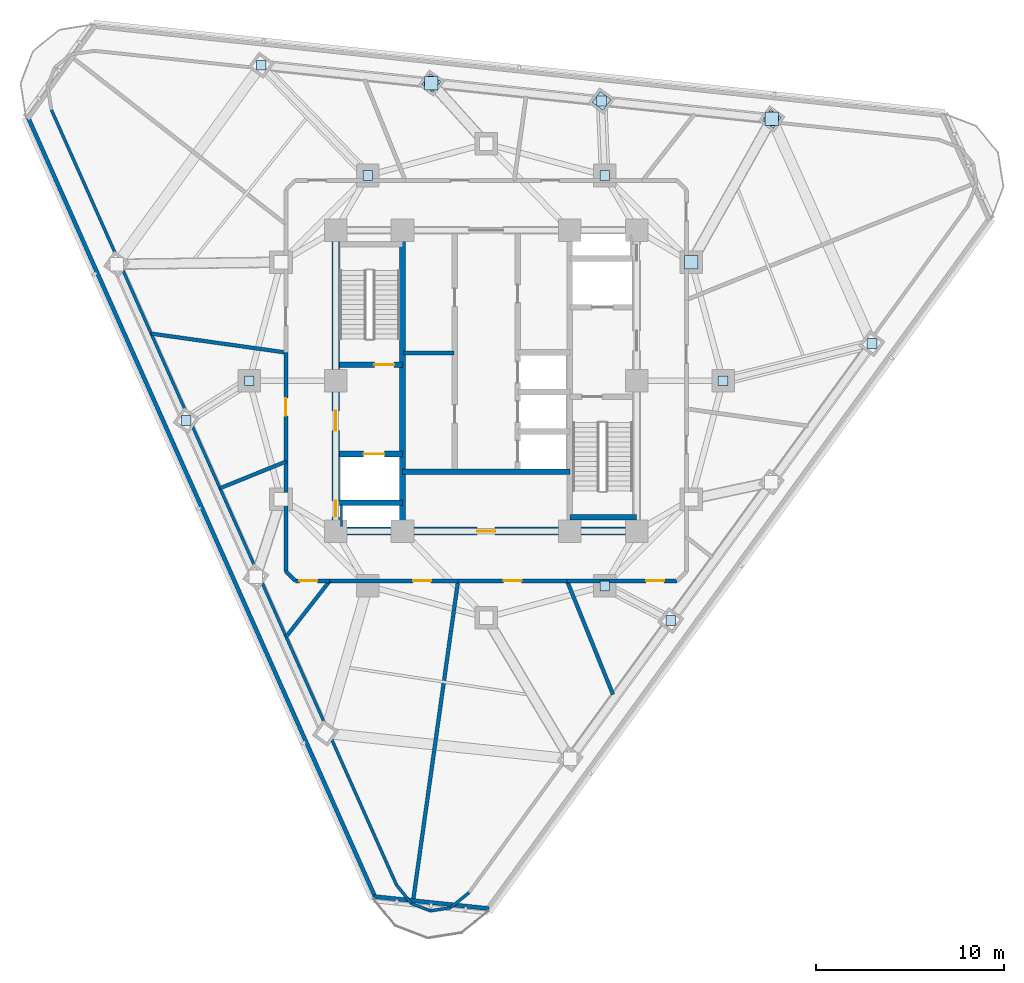
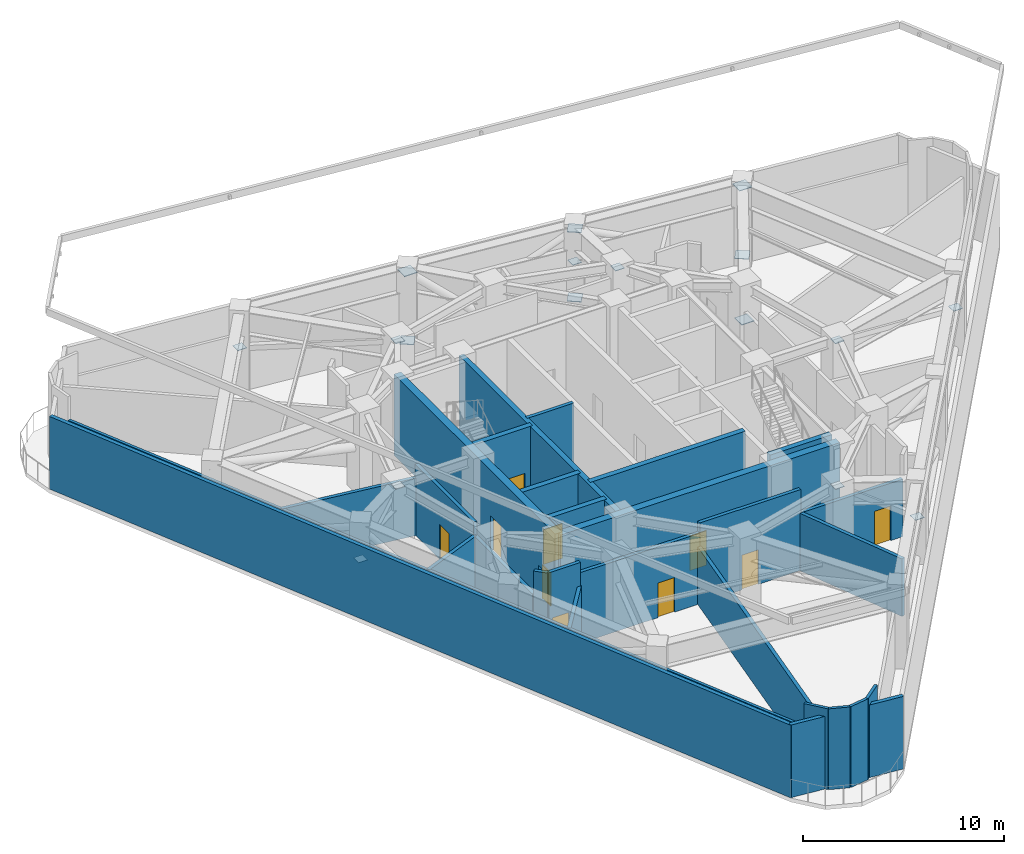
# One storey, part 3 of 10: 29 walls, 17 plates, 10 doors, 10 openings.
"""IFC4 building model written with IfcOpenShell, lengths in metres."""

from ifc_helpers import new_model, si_unit, direction, frame, frame_2d, origin, origin_2d, place, context, subcontext, project, spatial, rectangle, extrude, material, layer, layer_set, type_object, element, fill, save


model = new_model("IFC4")

# Units and contexts
model_context = context("Model", 3, precision=1e-05, world=origin(), true_north=direction((0.0, 1.0)))
body_context = subcontext(model_context, "Body", "Model", "MODEL_VIEW")
ifc_project = project(units=[si_unit("LENGTHUNIT", "METRE"), si_unit("AREAUNIT", "SQUARE_METRE"), si_unit("VOLUMEUNIT", "CUBIC_METRE"), si_unit("PLANEANGLEUNIT", "RADIAN"), si_unit("MASSUNIT", "GRAM", prefix="KILO")], contexts=[model_context])

# Site, building, storey
site_placement = place(None, origin())
site = spatial("IfcSite", under=ifc_project, at=site_placement, CompositionType="ELEMENT")
building_placement = place(site_placement, origin())
building = spatial("IfcBuilding", under=site, at=building_placement, Name="Terralouvre Media Tower", CompositionType="ELEMENT")
storey_placement = place(building_placement, frame((0.0, 0.0, 213.800048828125)))
storey = spatial("IfcBuildingStorey", under=building, at=storey_placement, Name="L55", CompositionType="ELEMENT", Elevation=213.800048828125)

# Plates
ifc_material_1 = material(Name="Structural steel S355J2", Category="steel")
ifc_layer_1 = layer(ifc_material_1, 0.028076171875, Name="Crown Rib End-Cap Node Plate ND-CR1")
ifc_layer_set_1 = layer_set([ifc_layer_1], Name="Structural steel S355J2")
plate_type_1 = type_object("IfcPlateType", Name="Crown Rib End-Cap Node Plate ND-CR1", PredefinedType="SHEET", material=ifc_layer_set_1)
for number, where, z_axis, x_axis, name in (
    (1, (6.300048828125, -10.911865234375, 4.5361328125), (0.0, 0.0, 1.0), (1.0, 0.0, 0.0), "L55 Strut Base Plate 11"),
    (2, (9.8125, -12.75341796875, 2.5361328125), (0.0, 0.0, 1.0), (1.0, 0.0, 0.0), "L55 Strut Top Plate 11"),
    (3, (12.60009765625, 0.0, 4.5361328125), (0.0, 0.0, 1.0), (1.0, 0.0, 0.0), "L55 Strut Base Plate 12"),
    (4, (20.51025390625, 1.970703125, 2.5361328125), (0.0, 0.0, 1.0), (1.0, 0.0, 0.0), "L55 Strut Top Plate 12"),
    (5, (6.300048828125, 10.911865234375, 4.5361328125), (0.0, 0.0, 1.0), (1.0, 0.0, 0.0), "L55 Strut Base Plate 13"),
    (6, (6.138427734375, 14.87451171875, 2.5361328125), (0.0, 0.0, 1.0), (1.0, 0.0, 0.0), "L55 Strut Top Plate 13"),
    (7, (-6.300048828125, 10.911865234375, 4.5361328125), (0.0, 0.0, 1.0), (1.0, 0.0, 0.0), "L55 Strut Base Plate 14"),
    (8, (-11.9619140625, 16.77685546875, 2.5361328125), (0.0, 0.0, 1.0), (1.0, 0.0, 0.0), "L55 Strut Top Plate 14"),
    (9, (-12.60009765625, 0.0, 4.5361328125), (0.0, 0.0, 1.0), (1.0, 0.0, 0.0), "L55 Strut Base Plate 15"),
    (10, (-15.950927734375, -2.121337890625, 2.5361328125), (0.0, 0.0, 1.0), (1.0, 0.0, 0.0), "L55 Strut Top Plate 15"),
):
    element("IfcPlate", number, at=place(storey_placement, frame(where, z_axis=z_axis, x_axis=x_axis)), inside=storey, type_object=plate_type_1, Name=name, PredefinedType="SHEET", context=body_context, shape_type="SweptSolid", body=[
        extrude(rectangle(XDim=0.52001953125, YDim=0.52001953125, at=origin_2d()), origin(), (0.0, 0.0, 1.0), 0.028076171875),
    ])
ifc_material_2 = material(Name="Structural steel S460M", Category="steel")
ifc_layer_2 = layer(ifc_material_2, 0.035888671875, Name="Welded Belt-Truss Gusset Node Plate ND-BT1")
ifc_layer_set_2 = layer_set([ifc_layer_2], Name="Structural steel S460M")
plate_type_2 = type_object("IfcPlateType", Name="Welded Belt-Truss Gusset Node Plate ND-BT1", PredefinedType="SHEET", material=ifc_layer_set_2)
for number, where, z_axis, x_axis, name in (
    (11, (15.1884765625, 13.92333984375, 0.33203125), (0.0, 0.0, 1.0), (0.587785252292, 0.809016994375, 0.0), "L55 Belt-Truss Welded Node Plate ND-13"),
    (12, (6.138427734375, 14.87451171875, 0.33203125), (0.0, 0.0, 1.0), (0.587785252292, 0.809016994375, 0.0), "L55 Belt-Truss Welded Node Plate ND-14"),
    (13, (6.138427734375, 14.87451171875, 4.5322265625), (0.0, 0.0, 1.0), (0.587785252292, 0.809016994375, 0.0), "L55 Belt-Truss Welded Node Plate ND-16"),
    (14, (-2.91162109375, 15.82568359375, 0.33203125), (0.0, 0.0, 1.0), (0.587785252292, 0.809016994375, 0.0), "L55 Belt-Truss Welded Node Plate ND-18"),
    (15, (10.911865234375, 6.300048828125, 2.5322265625), (0.0, 0.0, 1.0), (1.0, 0.0, 0.0), "L55 Outrigger Welded Node Plate ND-41"),
    (16, (15.1884765625, 13.92333984375, 4.5322265625), (0.0, 0.0, 1.0), (1.0, 0.0, 0.0), "L55 Outrigger Welded Node Plate ND-42"),
    (17, (-2.91162109375, 15.82568359375, 4.5322265625), (0.0, 0.0, 1.0), (1.0, 0.0, 0.0), "L55 Outrigger Welded Node Plate ND-44"),
):
    element("IfcPlate", number, at=place(storey_placement, frame(where, z_axis=z_axis, x_axis=x_axis)), inside=storey, type_object=plate_type_2, Name=name, PredefinedType="SHEET", context=body_context, shape_type="SweptSolid", body=[
        extrude(rectangle(XDim=0.719970703125, YDim=0.719970703125, at=origin_2d()), origin(), (0.0, 0.0, 1.0), 0.035888671875),
    ])

# Wall
ifc_material_3 = material(Name="Concrete C50/60", Category="concrete")
ifc_layer_3 = layer(ifc_material_3, 0.300048828125, Name="Core Internal Shaft Wall CW-300")
ifc_layer_set_3 = layer_set([ifc_layer_3], Name="Concrete C50/60")
wall_type_1 = type_object("IfcWallType", Name="Core Internal Shaft Wall CW-300", PredefinedType="SHEAR", material=ifc_layer_set_3)
wall_1_placement = place(storey_placement, frame((-4.449951171875, -7.7900390625, 0.0), z_axis=(0.0, 0.0, 1.0), x_axis=(0.0, 1.0, 0.0)))
element("IfcWall", 18, at=wall_1_placement, inside=storey, type_object=wall_type_1, Name="L55 Core Shaft Wall SPW", PredefinedType="SHEAR", context=body_context, shape_type="SweptSolid", body=[
    extrude(rectangle(XDim=15.580078125, YDim=0.300048828125, at=frame_2d((7.7900390625, 0.0))), origin(), (0.0, 0.0, 1.0), 4.89990234375),
])

# Wall, opening, door
wall_2_placement = place(storey_placement, frame((-7.7900390625, 0.85009765625, 0.0), z_axis=(0.0, 0.0, 1.0), x_axis=(1.0, 0.0, 0.0)))
wall_2 = element("IfcWall", 19, at=wall_2_placement, inside=storey, type_object=wall_type_1, Name="L55 Core Shaft Wall ST1D", PredefinedType="SHEAR", context=body_context, shape_type="SweptSolid", body=[
    extrude(rectangle(XDim=3.340087890625, YDim=0.300048828125, at=frame_2d((1.669921875, 0.0))), origin(), (0.0, 0.0, 1.0), 4.89990234375),
])
opening_1_placement = place(wall_2_placement, frame((1.85009765625, 0.0, 0.0)))
opening_1 = element("IfcOpeningElement", 20, at=opening_1_placement, cuts=wall_2, Name="Opening FD-01-105X215", PredefinedType="OPENING", context=body_context, shape_type="SweptSolid", body=[
    extrude(rectangle(XDim=1.050048828125, YDim=2.14990234375, at=frame_2d((0.52490234375, 1.074951171875))), frame((0.0, 0.159912109375, 0.0), z_axis=(0.0, -1.0, 0.0), x_axis=(1.0, 0.0, 0.0)), (0.0, 0.0, 1.0), 0.320068359375),
])
ifc_material_4 = material(Name="Galvanised steel fire-resisting leaf", Category="steel")
door_type_1 = type_object("IfcDoorType", Name="Stair and Firefighting Lobby Fire Door FD-01 (1050x2150)", OperationType="NOTDEFINED", PredefinedType="DOOR", material=ifc_material_4)
door_1_placement = place(opening_1_placement, origin())
door_1 = element("IfcDoor", 21, at=door_1_placement, inside=storey, type_object=door_type_1, Name="L55 ST-01 Exit Stair Door", OperationType="SINGLE_SWING_LEFT", OverallHeight=2.14990234375, OverallWidth=1.050048828125, PredefinedType="DOOR", context=body_context, shape_type="SweptSolid", body=[
    extrude(rectangle(XDim=1.050048828125, YDim=2.14990234375, at=frame_2d((0.52490234375, 1.074951171875))), frame((0.0, 0.02490234375, 0.0), z_axis=(0.0, -1.0, 0.0), x_axis=(1.0, 0.0, 0.0)), (0.0, 0.0, 1.0), 0.050048828125),
])
fill(opening_1, door_1)

# Wall
wall_3_placement = place(storey_placement, frame((4.449951171875, -7.260009765625, 0.0), z_axis=(0.0, 0.0, 1.0), x_axis=(1.0, 0.0, 0.0)))
element("IfcWall", 22, at=wall_3_placement, inside=storey, type_object=wall_type_1, Name="L55 Core Shaft Wall ST2F", PredefinedType="SHEAR", context=body_context, shape_type="SweptSolid", body=[
    extrude(rectangle(XDim=3.550048828125, YDim=0.300048828125, at=frame_2d((1.77490234375, 0.0))), origin(), (0.0, 0.0, 1.0), 4.89990234375),
])

# Wall, opening, door
wall_4_placement = place(storey_placement, frame((-7.7900390625, -3.89990234375, 0.0), z_axis=(0.0, 0.0, 1.0), x_axis=(1.0, 0.0, 0.0)))
wall_4 = element("IfcWall", 23, at=wall_4_placement, inside=storey, type_object=wall_type_1, Name="L55 Core Shaft Wall FF1N", PredefinedType="SHEAR", context=body_context, shape_type="SweptSolid", body=[
    extrude(rectangle(XDim=3.340087890625, YDim=0.300048828125, at=frame_2d((1.669921875, 0.0))), origin(), (0.0, 0.0, 1.0), 4.89990234375),
])
opening_2_placement = place(wall_4_placement, frame((1.27001953125, 0.0, 0.0)))
opening_2 = element("IfcOpeningElement", 24, at=opening_2_placement, cuts=wall_4, Name="Opening LD-FF", PredefinedType="OPENING", context=body_context, shape_type="SweptSolid", body=[
    extrude(rectangle(XDim=1.10009765625, YDim=2.10009765625, at=frame_2d((0.550048828125, 1.050048828125))), frame((0.0, 0.159912109375, 0.0), z_axis=(0.0, -1.0, 0.0), x_axis=(1.0, 0.0, 0.0)), (0.0, 0.0, 1.0), 0.320068359375),
])
ifc_material_5 = material(Name="Stainless steel 316 handrail and balustrade", Category="steel")
door_type_2 = type_object("IfcDoorType", Name="Firefighting Lift Sliding Landing Door LD-FF", OperationType="SLIDING_TO_LEFT", PredefinedType="DOOR", material=ifc_material_5)
door_2_placement = place(opening_2_placement, origin())
door_2 = element("IfcDoor", 25, at=door_2_placement, inside=storey, type_object=door_type_2, Name="L55 Firefighting Lift FFL-01 Landing Door", OperationType="SLIDING_TO_LEFT", OverallHeight=2.10009765625, OverallWidth=1.10009765625, PredefinedType="DOOR", context=body_context, shape_type="SweptSolid", body=[
    extrude(rectangle(XDim=1.10009765625, YDim=2.10009765625, at=frame_2d((0.550048828125, 1.050048828125))), frame((0.0, 0.02490234375, 0.0), z_axis=(0.0, -1.0, 0.0), x_axis=(1.0, 0.0, 0.0)), (0.0, 0.0, 1.0), 0.050048828125),
])
fill(opening_2, door_2)

# Walls
wall_5_placement = place(storey_placement, frame((-7.7900390625, -6.5, 0.0), z_axis=(0.0, 0.0, 1.0), x_axis=(1.0, 0.0, 0.0)))
element("IfcWall", 26, at=wall_5_placement, inside=storey, type_object=wall_type_1, Name="L55 Core Shaft Wall FF1S", PredefinedType="SHEAR", context=body_context, shape_type="SweptSolid", body=[
    extrude(rectangle(XDim=3.340087890625, YDim=0.300048828125, at=frame_2d((1.669921875, 0.0))), origin(), (0.0, 0.0, 1.0), 4.89990234375),
])
wall_6_placement = place(storey_placement, frame((-4.449951171875, -4.85009765625, 0.0), z_axis=(0.0, 0.0, 1.0), x_axis=(1.0, 0.0, 0.0)))
element("IfcWall", 27, at=wall_6_placement, inside=storey, type_object=wall_type_1, Name="L55 Core Shaft Wall CSBN", PredefinedType="SHEAR", context=body_context, shape_type="SweptSolid", body=[
    extrude(rectangle(XDim=8.89990234375, YDim=0.300048828125, at=frame_2d((4.449951171875, 0.0))), origin(), (0.0, 0.0, 1.0), 4.89990234375),
])

# Wall, openings, doors
ifc_material_6 = material(Name="Concrete C60/75", Category="concrete")
ifc_layer_4 = layer(ifc_material_6, 0.419921875, Name="Core Reinforced Concrete Shear Wall CW-420")
ifc_layer_set_4 = layer_set([ifc_layer_4], Name="Concrete C60/75")
wall_type_2 = type_object("IfcWallType", Name="Core Reinforced Concrete Shear Wall CW-420", PredefinedType="SHEAR", material=ifc_layer_set_4)
wall_7_placement = place(storey_placement, frame((-8.0, -8.0, 0.0), z_axis=(0.0, 0.0, 1.0), x_axis=(0.0, 1.0, 0.0)))
wall_7 = element("IfcWall", 28, at=wall_7_placement, inside=storey, type_object=wall_type_2, Name="L55 W Core Shear Wall", PredefinedType="SHEAR", context=body_context, shape_type="SweptSolid", body=[
    extrude(rectangle(XDim=16.0, YDim=0.419921875, at=frame_2d((8.0, 0.0))), origin(), (0.0, 0.0, 1.0), 4.89990234375),
])
opening_3_placement = place(wall_7_placement, frame((0.76123046875, 0.0, 0.0)))
opening_3 = element("IfcOpeningElement", 29, at=opening_3_placement, cuts=wall_7, Name="Opening TD-R1", PredefinedType="OPENING", context=body_context, shape_type="SweptSolid", body=[
    extrude(rectangle(XDim=0.85009765625, YDim=2.02001953125, at=frame_2d((0.425048828125, 1.010009765625))), frame((0.0, 0.219970703125, 0.0), z_axis=(0.0, -1.0, 0.0), x_axis=(1.0, 0.0, 0.0)), (0.0, 0.0, 1.0), 0.43994140625),
])
opening_4_placement = place(wall_7_placement, frame((5.35009765625, 0.0, 0.0)))
opening_4 = element("IfcOpeningElement", 30, at=opening_4_placement, cuts=wall_7, Name="Opening FD-01-105X215", PredefinedType="OPENING", context=body_context, shape_type="SweptSolid", body=[
    extrude(rectangle(XDim=1.050048828125, YDim=2.14990234375, at=frame_2d((0.52490234375, 1.074951171875))), frame((0.0, 0.219970703125, 0.0), z_axis=(0.0, -1.0, 0.0), x_axis=(1.0, 0.0, 0.0)), (0.0, 0.0, 1.0), 0.43994140625),
])
ifc_material_7 = material(Name="Galvanised steel fire-resisting leaf", Category="steel")
door_type_3 = type_object("IfcDoorType", Name="Riser Inspection Access Trapdoor TD-R1", OperationType="NOTDEFINED", PredefinedType="TRAPDOOR", material=ifc_material_7)
door_3_placement = place(opening_3_placement, origin())
door_3 = element("IfcDoor", 31, at=door_3_placement, inside=storey, type_object=door_type_3, Name="L55 Wet Riser Access Trapdoor", OperationType="SINGLE_SWING_LEFT", OverallHeight=2.02001953125, OverallWidth=0.85009765625, PredefinedType="TRAPDOOR", context=body_context, shape_type="SweptSolid", body=[
    extrude(rectangle(XDim=0.85009765625, YDim=2.02001953125, at=frame_2d((0.425048828125, 1.010009765625))), frame((0.0, 0.02490234375, 0.0), z_axis=(0.0, -1.0, 0.0), x_axis=(1.0, 0.0, 0.0)), (0.0, 0.0, 1.0), 0.050048828125),
])
fill(opening_3, door_3)
door_4_placement = place(opening_4_placement, origin())
door_4 = element("IfcDoor", 32, at=door_4_placement, inside=storey, type_object=door_type_1, Name="L55 West Firefighting Lobby Entry Door", OperationType="SINGLE_SWING_RIGHT", OverallHeight=2.14990234375, OverallWidth=1.050048828125, PredefinedType="DOOR", context=body_context, shape_type="SweptSolid", body=[
    extrude(rectangle(XDim=1.050048828125, YDim=2.14990234375, at=frame_2d((0.52490234375, 1.074951171875))), frame((0.0, 0.02490234375, 0.0), z_axis=(0.0, -1.0, 0.0), x_axis=(1.0, 0.0, 0.0)), (0.0, 0.0, 1.0), 0.050048828125),
])
fill(opening_4, door_4)

# Wall, opening, door
wall_8_placement = place(storey_placement, frame((-8.0, -8.0, 0.0), z_axis=(0.0, 0.0, 1.0), x_axis=(1.0, 0.0, 0.0)))
wall_8 = element("IfcWall", 33, at=wall_8_placement, inside=storey, type_object=wall_type_2, Name="L55 S Core Shear Wall", PredefinedType="SHEAR", context=body_context, shape_type="SweptSolid", body=[
    extrude(rectangle(XDim=16.0, YDim=0.419921875, at=frame_2d((8.0, 0.0))), origin(), (0.0, 0.0, 1.0), 4.89990234375),
])
opening_5_placement = place(wall_8_placement, frame((7.52001953125, 0.0, 0.0)))
opening_5 = element("IfcOpeningElement", 34, at=opening_5_placement, cuts=wall_8, Name="Opening FD-02-95X210", PredefinedType="OPENING", context=body_context, shape_type="SweptSolid", body=[
    extrude(rectangle(XDim=0.949951171875, YDim=2.10009765625, at=frame_2d((0.47509765625, 1.050048828125))), frame((0.0, 0.219970703125, 0.0), z_axis=(0.0, -1.0, 0.0), x_axis=(1.0, 0.0, 0.0)), (0.0, 0.0, 1.0), 0.43994140625),
])
ifc_material_8 = material(Name="Galvanised steel fire-resisting leaf", Category="steel")
door_type_4 = type_object("IfcDoorType", Name="Plant and Riser Fire Door FD-02 (950x2100)", OperationType="NOTDEFINED", PredefinedType="DOOR", material=ifc_material_8)
door_5_placement = place(opening_5_placement, origin())
door_5 = element("IfcDoor", 35, at=door_5_placement, inside=storey, type_object=door_type_4, Name="L55 Core Switchgear Plant Door", OperationType="SINGLE_SWING_LEFT", OverallHeight=2.10009765625, OverallWidth=0.949951171875, PredefinedType="DOOR", context=body_context, shape_type="SweptSolid", body=[
    extrude(rectangle(XDim=0.949951171875, YDim=2.10009765625, at=frame_2d((0.47509765625, 1.050048828125))), frame((0.0, 0.02490234375, 0.0), z_axis=(0.0, -1.0, 0.0), x_axis=(1.0, 0.0, 0.0)), (0.0, 0.0, 1.0), 0.050048828125),
])
fill(opening_5, door_5)

# Walls
ifc_material_9 = material(Name="Fire-rated gypsum board drywall partition")
ifc_layer_5 = layer(ifc_material_9, 0.199951171875, Name="Fire-Rated Shaft and Lobby Partition FW-200")
ifc_layer_set_5 = layer_set([ifc_layer_5], Name="Fire-rated gypsum board drywall partition")
wall_type_3 = type_object("IfcWallType", Name="Fire-Rated Shaft and Lobby Partition FW-200", PredefinedType="SOLIDWALL", material=ifc_layer_set_5)
wall_9_placement = place(storey_placement, frame((-4.39990234375, 1.469970703125, 0.0), z_axis=(0.0, 0.0, 1.0), x_axis=(1.0, 0.0, 0.0)))
element("IfcWall", 36, at=wall_9_placement, inside=storey, type_object=wall_type_3, Name="L55 Core West Sub-Partition 1", PredefinedType="SOLIDWALL", context=body_context, shape_type="SweptSolid", body=[
    extrude(rectangle(XDim=2.679931640625, YDim=0.199951171875, at=frame_2d((1.33984375, 0.0))), origin(), (0.0, 0.0, 1.0), 4.89990234375),
])
wall_10_placement = place(storey_placement, frame((-4.767822265625, -26.821044921875, 0.0), z_axis=(0.0, 0.0, 1.0), x_axis=(-0.406738743139, 0.913544522631, 0.0)))
element("IfcWall", 37, at=wall_10_placement, inside=storey, type_object=wall_type_3, Name="L55 Belt-Truss Acoustic Plenum Liner Wall 01", PredefinedType="SOLIDWALL", context=body_context, shape_type="SweptSolid", body=[
    extrude(rectangle(XDim=45.1259765625, YDim=0.159912109375, at=frame_2d((22.56298828125, 0.0))), origin(), (0.0, 0.0, 1.0), 3.48486328125),
])
wall_11_placement = place(storey_placement, frame((-0.912841796875, -27.226318359375, 0.0), z_axis=(0.0, 0.0, 1.0), x_axis=(-0.777141904581, -0.629325400841, 0.0)))
element("IfcWall", 38, at=wall_11_placement, inside=storey, type_object=wall_type_3, Name="L55 Belt-Truss Acoustic Plenum Liner Wall 12", PredefinedType="SOLIDWALL", context=body_context, shape_type="SweptSolid", body=[
    extrude(rectangle(XDim=1.27001953125, YDim=0.159912109375, at=frame_2d((0.635009765625, 0.0))), origin(), (0.0, 0.0, 1.0), 4.89990234375),
])
for number, where, z_axis, x_axis, name in (
    (39, (-1.89990234375, -28.025634765625, 0.0), (0.0, 0.0, 1.0), (-0.987685629628, -0.156451580451, 0.0), "L55 Belt-Truss Acoustic Plenum Liner Wall 13"),
    (40, (-2.96337890625, -28.194091796875, 0.0), (0.0, 0.0, 1.0), (-0.933532490411, 0.358492802366, 0.0), "L55 Belt-Truss Acoustic Plenum Liner Wall 14"),
):
    element("IfcWall", number, at=place(storey_placement, frame(where, z_axis=z_axis, x_axis=x_axis)), inside=storey, type_object=wall_type_3, Name=name, PredefinedType="SOLIDWALL", context=body_context, shape_type="SweptSolid", body=[
        extrude(rectangle(XDim=1.07666015625, YDim=0.159912109375, at=frame_2d((0.538330078125, 0.0))), origin(), (0.0, 0.0, 1.0), 4.89990234375),
    ])
wall_12_placement = place(storey_placement, frame((-3.968505859375, -27.80810546875, 0.0), z_axis=(0.0, 0.0, 1.0), x_axis=(-0.629325400841, 0.777141904581, 0.0)))
element("IfcWall", 41, at=wall_12_placement, inside=storey, type_object=wall_type_3, Name="L55 Belt-Truss Acoustic Plenum Liner Wall 15", PredefinedType="SOLIDWALL", context=body_context, shape_type="SweptSolid", body=[
    extrude(rectangle(XDim=1.27001953125, YDim=0.159912109375, at=frame_2d((0.635009765625, 0.0))), origin(), (0.0, 0.0, 1.0), 4.89990234375),
])

# Wall, opening, door
wall_13_placement = place(storey_placement, frame((-10.64990234375, 1.4970703125, 0.0), z_axis=(0.0, 0.0, 1.0), x_axis=(0.0, -1.0, 0.0)))
wall_13 = element("IfcWall", 42, at=wall_13_placement, inside=storey, type_object=wall_type_3, Name="L55 Interior Partition 001", PredefinedType="SOLIDWALL", context=body_context, shape_type="SweptSolid", body=[
    extrude(rectangle(XDim=5.800048828125, YDim=0.199951171875, at=frame_2d((2.89990234375, 0.0))), origin(), (0.0, 0.0, 1.0), 4.284912109375),
])
opening_6_placement = place(wall_13_placement, frame((2.425048828125, 0.0, 0.0)))
opening_6 = element("IfcOpeningElement", 43, at=opening_6_placement, cuts=wall_13, Name="Opening FD-02-95X210", PredefinedType="OPENING", context=body_context, shape_type="SweptSolid", body=[
    extrude(rectangle(XDim=0.949951171875, YDim=2.10009765625, at=frame_2d((0.47509765625, 1.050048828125))), frame((0.0, 0.10986328125, 0.0), z_axis=(0.0, -1.0, 0.0), x_axis=(1.0, 0.0, 0.0)), (0.0, 0.0, 1.0), 0.219970703125),
])
door_6_placement = place(opening_6_placement, origin())
door_6 = element("IfcDoor", 44, at=door_6_placement, inside=storey, type_object=door_type_4, Name="L55 Designated Pressurised Refuge Holding Area West Door", OperationType="SINGLE_SWING_RIGHT", OverallHeight=2.10009765625, OverallWidth=0.949951171875, PredefinedType="DOOR", context=body_context, shape_type="SweptSolid", body=[
    extrude(rectangle(XDim=0.949951171875, YDim=2.10009765625, at=frame_2d((0.47509765625, 1.050048828125))), frame((0.0, 0.02490234375, 0.0), z_axis=(0.0, -1.0, 0.0), x_axis=(1.0, 0.0, 0.0)), (0.0, 0.0, 1.0), 0.050048828125),
])
fill(opening_6, door_6)

# Walls
wall_14_placement = place(storey_placement, frame((-10.64990234375, -4.302978515625, 0.0), z_axis=(0.0, 0.0, 1.0), x_axis=(0.0, -1.0, 0.0)))
element("IfcWall", 45, at=wall_14_placement, inside=storey, type_object=wall_type_3, Name="L55 Interior Partition 002", PredefinedType="SOLIDWALL", context=body_context, shape_type="SweptSolid", body=[
    extrude(rectangle(XDim=5.846923828125, YDim=0.199951171875, at=frame_2d((2.92333984375, 0.0))), origin(), (0.0, 0.0, 1.0), 3.48486328125),
])
wall_15_placement = place(storey_placement, frame((-10.64990234375, -10.14990234375, 0.0), z_axis=(0.0, 0.0, 1.0), x_axis=(0.707106781187, -0.707106781187, 0.0)))
element("IfcWall", 46, at=wall_15_placement, inside=storey, type_object=wall_type_3, Name="L55 Interior Partition 003", PredefinedType="SOLIDWALL", context=body_context, shape_type="SweptSolid", body=[
    extrude(rectangle(XDim=0.70703125, YDim=0.199951171875, at=frame_2d((0.353515625, 0.0))), origin(), (0.0, 0.0, 1.0), 4.89990234375),
])

# Wall, opening, door
wall_16_placement = place(storey_placement, frame((-10.14990234375, -10.64990234375, 0.0), z_axis=(0.0, 0.0, 1.0), x_axis=(1.0, 0.0, 0.0)))
wall_16 = element("IfcWall", 47, at=wall_16_placement, inside=storey, type_object=wall_type_3, Name="L55 Interior Partition 004", PredefinedType="SOLIDWALL", context=body_context, shape_type="SweptSolid", body=[
    extrude(rectangle(XDim=1.828857421875, YDim=0.199951171875, at=frame_2d((0.91455078125, 0.0))), origin(), (0.0, 0.0, 1.0), 4.89990234375),
])
opening_7_placement = place(wall_16_placement, frame((0.219970703125, 0.0, 0.0)))
opening_7 = element("IfcOpeningElement", 48, at=opening_7_placement, cuts=wall_16, Name="Opening FD-02-95X210", PredefinedType="OPENING", context=body_context, shape_type="SweptSolid", body=[
    extrude(rectangle(XDim=0.949951171875, YDim=2.10009765625, at=frame_2d((0.47509765625, 1.050048828125))), frame((0.0, 0.10986328125, 0.0), z_axis=(0.0, -1.0, 0.0), x_axis=(1.0, 0.0, 0.0)), (0.0, 0.0, 1.0), 0.219970703125),
])
door_7_placement = place(opening_7_placement, origin())
door_7 = element("IfcDoor", 49, at=door_7_placement, inside=storey, type_object=door_type_4, Name="L55 Mechanical AHU and Smoke-Extract Plant Room Door", OperationType="SINGLE_SWING_LEFT", OverallHeight=2.10009765625, OverallWidth=0.949951171875, PredefinedType="DOOR", context=body_context, shape_type="SweptSolid", body=[
    extrude(rectangle(XDim=0.949951171875, YDim=2.10009765625, at=frame_2d((0.47509765625, 1.050048828125))), frame((0.0, 0.02490234375, 0.0), z_axis=(0.0, -1.0, 0.0), x_axis=(1.0, 0.0, 0.0)), (0.0, 0.0, 1.0), 0.050048828125),
])
fill(opening_7, door_7)

wall_17_placement = place(storey_placement, frame((-8.321044921875, -10.64990234375, 0.0), z_axis=(0.0, 0.0, 1.0), x_axis=(1.0, 0.0, 0.0)))
wall_17 = element("IfcWall", 50, at=wall_17_placement, inside=storey, type_object=wall_type_3, Name="L55 Interior Partition 005", PredefinedType="SOLIDWALL", context=body_context, shape_type="SweptSolid", body=[
    extrude(rectangle(XDim=6.823974609375, YDim=0.199951171875, at=frame_2d((3.412109375, 0.0))), origin(), (0.0, 0.0, 1.0), 4.284912109375),
])
opening_8_placement = place(wall_17_placement, frame((4.438232421875, 0.0, 0.0)))
opening_8 = element("IfcOpeningElement", 51, at=opening_8_placement, cuts=wall_17, Name="Opening FD-02-95X210", PredefinedType="OPENING", context=body_context, shape_type="SweptSolid", body=[
    extrude(rectangle(XDim=0.949951171875, YDim=2.10009765625, at=frame_2d((0.47509765625, 1.050048828125))), frame((0.0, 0.10986328125, 0.0), z_axis=(0.0, -1.0, 0.0), x_axis=(1.0, 0.0, 0.0)), (0.0, 0.0, 1.0), 0.219970703125),
])
door_8_placement = place(opening_8_placement, origin())
door_8 = element("IfcDoor", 52, at=door_8_placement, inside=storey, type_object=door_type_4, Name="L55 Fire and Domestic Booster Pump Plant Room Door", OperationType="SINGLE_SWING_RIGHT", OverallHeight=2.10009765625, OverallWidth=0.949951171875, PredefinedType="DOOR", context=body_context, shape_type="SweptSolid", body=[
    extrude(rectangle(XDim=0.949951171875, YDim=2.10009765625, at=frame_2d((0.47509765625, 1.050048828125))), frame((0.0, 0.02490234375, 0.0), z_axis=(0.0, -1.0, 0.0), x_axis=(1.0, 0.0, 0.0)), (0.0, 0.0, 1.0), 0.050048828125),
])
fill(opening_8, door_8)

wall_18_placement = place(storey_placement, frame((-1.4970703125, -10.64990234375, 0.0), z_axis=(0.0, 0.0, 1.0), x_axis=(1.0, 0.0, 0.0)))
wall_18 = element("IfcWall", 53, at=wall_18_placement, inside=storey, type_object=wall_type_3, Name="L55 Interior Partition 006", PredefinedType="SOLIDWALL", context=body_context, shape_type="SweptSolid", body=[
    extrude(rectangle(XDim=5.800048828125, YDim=0.199951171875, at=frame_2d((2.89990234375, 0.0))), origin(), (0.0, 0.0, 1.0), 4.89990234375),
])
opening_9_placement = place(wall_18_placement, frame((2.425048828125, 0.0, 0.0)))
opening_9 = element("IfcOpeningElement", 54, at=opening_9_placement, cuts=wall_18, Name="Opening FD-02-95X210", PredefinedType="OPENING", context=body_context, shape_type="SweptSolid", body=[
    extrude(rectangle(XDim=0.949951171875, YDim=2.10009765625, at=frame_2d((0.47509765625, 1.050048828125))), frame((0.0, 0.10986328125, 0.0), z_axis=(0.0, -1.0, 0.0), x_axis=(1.0, 0.0, 0.0)), (0.0, 0.0, 1.0), 0.219970703125),
])
door_9_placement = place(opening_9_placement, origin())
door_9 = element("IfcDoor", 55, at=door_9_placement, inside=storey, type_object=door_type_4, Name="L55 Chilled-Water Heat-Exchanger Plant Room Door", OperationType="SINGLE_SWING_LEFT", OverallHeight=2.10009765625, OverallWidth=0.949951171875, PredefinedType="DOOR", context=body_context, shape_type="SweptSolid", body=[
    extrude(rectangle(XDim=0.949951171875, YDim=2.10009765625, at=frame_2d((0.47509765625, 1.050048828125))), frame((0.0, 0.02490234375, 0.0), z_axis=(0.0, -1.0, 0.0), x_axis=(1.0, 0.0, 0.0)), (0.0, 0.0, 1.0), 0.050048828125),
])
fill(opening_9, door_9)

wall_19_placement = place(storey_placement, frame((4.302978515625, -10.64990234375, 0.0), z_axis=(0.0, 0.0, 1.0), x_axis=(1.0, 0.0, 0.0)))
wall_19 = element("IfcWall", 56, at=wall_19_placement, inside=storey, type_object=wall_type_3, Name="L55 Interior Partition 007", PredefinedType="SOLIDWALL", context=body_context, shape_type="SweptSolid", body=[
    extrude(rectangle(XDim=5.846923828125, YDim=0.199951171875, at=frame_2d((2.92333984375, 0.0))), origin(), (0.0, 0.0, 1.0), 3.48486328125),
])
opening_10_placement = place(wall_19_placement, frame((4.20263671875, 0.0, 0.0)))
opening_10 = element("IfcOpeningElement", 57, at=opening_10_placement, cuts=wall_19, Name="Opening FD-02-95X210", PredefinedType="OPENING", context=body_context, shape_type="SweptSolid", body=[
    extrude(rectangle(XDim=0.949951171875, YDim=2.10009765625, at=frame_2d((0.47509765625, 1.050048828125))), frame((0.0, 0.10986328125, 0.0), z_axis=(0.0, -1.0, 0.0), x_axis=(1.0, 0.0, 0.0)), (0.0, 0.0, 1.0), 0.219970703125),
])
door_10_placement = place(opening_10_placement, origin())
door_10 = element("IfcDoor", 58, at=door_10_placement, inside=storey, type_object=door_type_4, Name="L55 High-Voltage Transformer and Switchgear Plant Room Door", OperationType="SINGLE_SWING_RIGHT", OverallHeight=2.10009765625, OverallWidth=0.949951171875, PredefinedType="DOOR", context=body_context, shape_type="SweptSolid", body=[
    extrude(rectangle(XDim=0.949951171875, YDim=2.10009765625, at=frame_2d((0.47509765625, 1.050048828125))), frame((0.0, 0.02490234375, 0.0), z_axis=(0.0, -1.0, 0.0), x_axis=(1.0, 0.0, 0.0)), (0.0, 0.0, 1.0), 0.050048828125),
])
fill(opening_10, door_10)

# Walls
wall_20_placement = place(storey_placement, frame((-14.162109375, -5.721923828125, 0.0), z_axis=(0.0, 0.0, 1.0), x_axis=(0.927191046579, 0.37458879207, 0.0)))
element("IfcWall", 59, at=wall_20_placement, inside=storey, type_object=wall_type_3, Name="L55 Interior Partition 021", PredefinedType="SOLIDWALL", context=body_context, shape_type="SweptSolid", body=[
    extrude(rectangle(XDim=3.7880859375, YDim=0.199951171875, at=frame_2d((1.89404296875, 0.0))), origin(), (0.0, 0.0, 1.0), 3.48486328125),
])
wall_21_placement = place(storey_placement, frame((-10.64990234375, 1.4970703125, 0.0), z_axis=(0.0, 0.0, 1.0), x_axis=(-0.99027900012, 0.139095297985, 0.0)))
element("IfcWall", 60, at=wall_21_placement, inside=storey, type_object=wall_type_3, Name="L55 Interior Partition 022", PredefinedType="SOLIDWALL", context=body_context, shape_type="SweptSolid", body=[
    extrude(rectangle(XDim=7.245361328125, YDim=0.199951171875, at=frame_2d((3.62255859375, 0.0))), origin(), (0.0, 0.0, 1.0), 3.48486328125),
])
wall_22_placement = place(storey_placement, frame((-10.64404296875, -13.623046875, 0.0), z_axis=(0.0, 0.0, 1.0), x_axis=(0.615681711479, 0.787994942973, 0.0)))
element("IfcWall", 61, at=wall_22_placement, inside=storey, type_object=wall_type_3, Name="L55 Interior Partition 023", PredefinedType="SOLIDWALL", context=body_context, shape_type="SweptSolid", body=[
    extrude(rectangle(XDim=3.77294921875, YDim=0.199951171875, at=frame_2d((1.886474609375, 0.0))), origin(), (0.0, 0.0, 1.0), 3.48486328125),
])
wall_23_placement = place(storey_placement, frame((-3.910888671875, -27.830078125, 0.0), z_axis=(0.0, 0.0, 1.0), x_axis=(0.139133653559, 0.990273611911, 0.0)))
element("IfcWall", 62, at=wall_23_placement, inside=storey, type_object=wall_type_3, Name="L55 Interior Partition 024", PredefinedType="SOLIDWALL", context=body_context, shape_type="SweptSolid", body=[
    extrude(rectangle(XDim=17.348876953125, YDim=0.199951171875, at=frame_2d((8.67431640625, 0.0))), origin(), (0.0, 0.0, 1.0), 3.48486328125),
])
wall_24_placement = place(storey_placement, frame((6.742919921875, -16.68896484375, 0.0), z_axis=(0.0, 0.0, 1.0), x_axis=(-0.374606827928, 0.927183759818, 0.0)))
element("IfcWall", 63, at=wall_24_placement, inside=storey, type_object=wall_type_3, Name="L55 Interior Partition 025", PredefinedType="SOLIDWALL", context=body_context, shape_type="SweptSolid", body=[
    extrude(rectangle(XDim=6.513427734375, YDim=0.199951171875, at=frame_2d((3.2568359375, 0.0))), origin(), (0.0, 0.0, 1.0), 3.48486328125),
])
ifc_material_10 = material(Name="Fire-rated gypsum board drywall partition")
ifc_layer_6 = layer(ifc_material_10, 0.1201171875, Name="Low Technical Plinth Furring Wall PT-PL120")
ifc_layer_set_6 = layer_set([ifc_layer_6], Name="Fire-rated gypsum board drywall partition")
wall_type_4 = type_object("IfcWallType", Name="Low Technical Plinth Furring Wall PT-PL120", PredefinedType="PLUMBINGWALL", material=ifc_layer_set_6)
wall_25_placement = place(storey_placement, frame((-7.699951171875, -7.75, 0.0), z_axis=(0.0, 0.0, 1.0), x_axis=(0.0, 1.0, 0.0)))
element("IfcWall", 64, at=wall_25_placement, inside=storey, type_object=wall_type_4, Name="L55 Wet Riser Plumbing Furring Wall 1", PredefinedType="PLUMBINGWALL", context=body_context, shape_type="SweptSolid", body=[
    extrude(rectangle(XDim=1.1298828125, YDim=0.1201171875, at=frame_2d((0.56494140625, 0.0))), origin(), (0.0, 0.0, 1.0), 4.89990234375),
])
ifc_material_11 = material(Name="Kiln-fired architectural terracotta rainscreen cladding", Category="masonry")
ifc_layer_7 = layer(ifc_material_11, 0.260009765625, Name="Recessed Sky-Garden Acoustic Wall EW-SG260")
ifc_layer_set_7 = layer_set([ifc_layer_7], Name="Kiln-fired architectural terracotta rainscreen cladding")
wall_type_5 = type_object("IfcWallType", Name="Recessed Sky-Garden Acoustic Wall EW-SG260", PredefinedType="SOLIDWALL", material=ifc_layer_set_7)
wall_26_placement = place(storey_placement, frame((-24.385986328125, 14.045654296875, 0.0), z_axis=(0.0, 0.0, 1.0), x_axis=(0.406737292186, -0.91354516864, 0.0)))
element("IfcWall", 65, at=wall_26_placement, inside=storey, type_object=wall_type_5, Name="L55 Facade Curtain Wall F2 Acoustic Plant Plinth Wall", PredefinedType="SOLIDWALL", context=body_context, shape_type="SweptSolid", body=[
    extrude(rectangle(XDim=45.5, YDim=0.219970703125, at=frame_2d((22.75, 0.0))), origin(), (0.0, 0.0, 1.0), 4.39990234375),
])
wall_27_placement = place(storey_placement, frame((-5.974365234375, -27.43017578125, 0.0), z_axis=(0.0, 0.0, 1.0), x_axis=(0.994520020333, -0.104546301495, 0.0)))
element("IfcWall", 66, at=wall_27_placement, inside=storey, type_object=wall_type_5, Name="L55 Rounded Wind-Corner Curtain Wall C0 Acoustic Plant Plinth Wall", PredefinedType="SOLIDWALL", context=body_context, shape_type="SweptSolid", body=[
    extrude(rectangle(XDim=6.148681640625, YDim=0.219970703125, at=frame_2d((3.07421875, 0.0))), origin(), (0.0, 0.0, 1.0), 4.39990234375),
])

save(model, "model.ifc")
